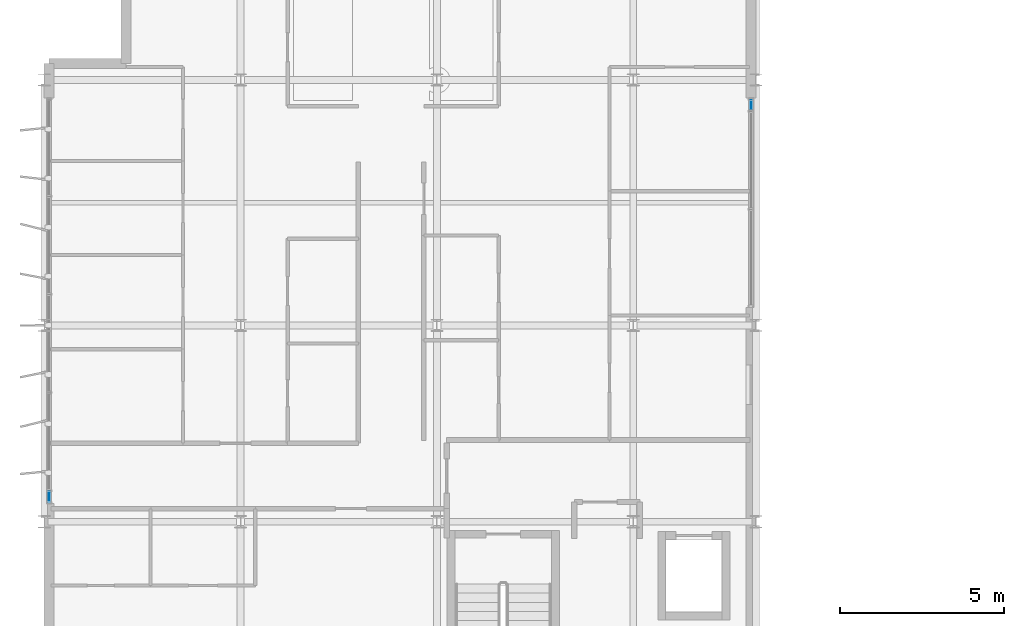
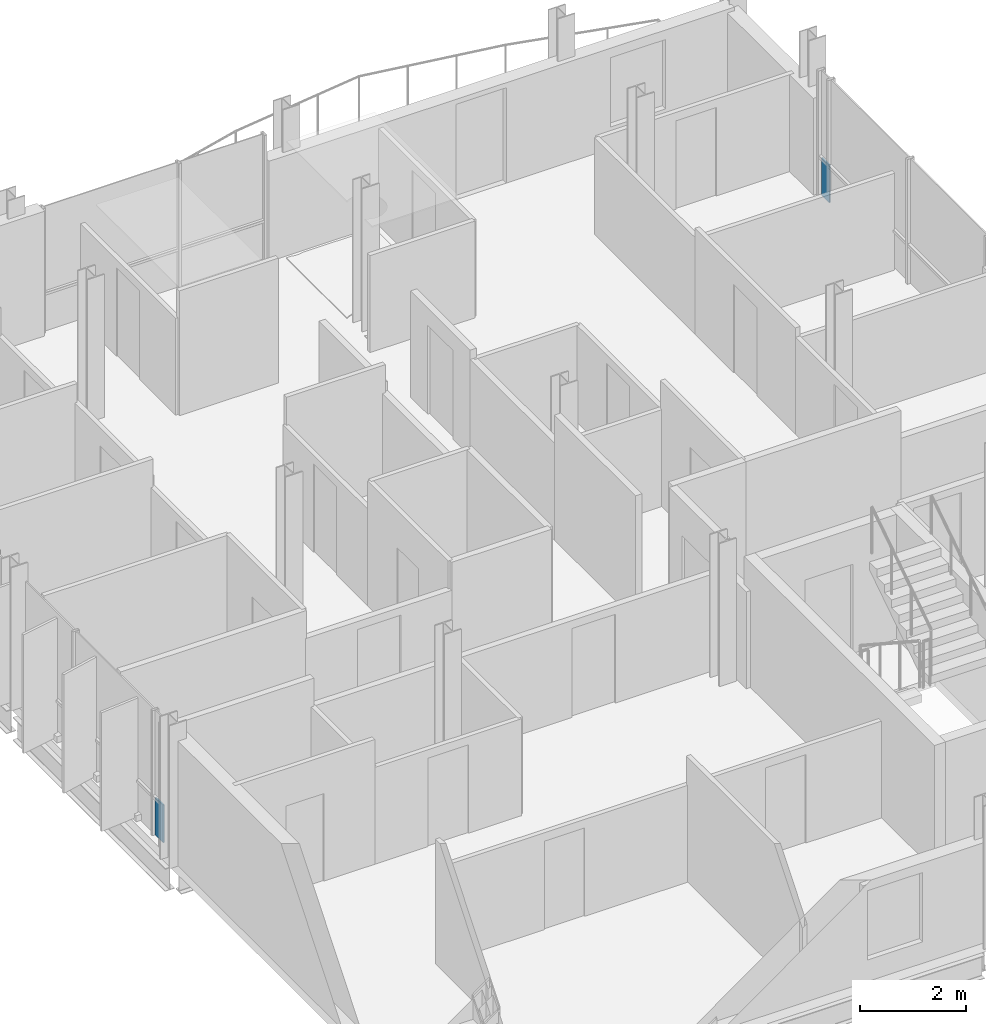
# One storey, part 20 of 30: 2 plates, 2 elements without a shape of their own.
"""IFC4 building model written with IfcOpenShell, lengths in metres."""

from ifc_helpers import new_model, si_unit, direction, frame, origin, origin_2d, place, context, subcontext, project, spatial, rectangle, extrude, material, layer, layer_set, type_object, element, aggregate, save


model = new_model("IFC4")

# Units and contexts
model_context = context("Model", 3, precision=1e-05, world=origin(), true_north=direction((0.0, 1.0)))
body_context = subcontext(model_context, "Body", "Model", "MODEL_VIEW")
ifc_project = project(units=[si_unit("LENGTHUNIT", "METRE"), si_unit("AREAUNIT", "SQUARE_METRE"), si_unit("VOLUMEUNIT", "CUBIC_METRE"), si_unit("PLANEANGLEUNIT", "RADIAN"), si_unit("MASSUNIT", "GRAM", prefix="KILO")], contexts=[model_context])

# Site, building, storey
site_placement = place(None, origin())
site = spatial("IfcSite", under=ifc_project, at=site_placement, CompositionType="ELEMENT")
building_placement = place(site_placement, origin())
building = spatial("IfcBuilding", under=site, at=building_placement, Name="Brevholm Reach", CompositionType="ELEMENT")
storey_placement = place(building_placement, frame((0.0, 0.0, 211.10009765625)))
storey = spatial("IfcBuildingStorey", under=building, at=storey_placement, Name="L64", CompositionType="ELEMENT", Elevation=211.10009765625)

# Curtain wall, plate
ifc_material_1 = material(Name="Dark Anodised Aluminium 6063-T6 and Solar-Control Glass", Category="aluminium")
ifc_layer_1 = layer(ifc_material_1, 0.14990234375)
ifc_layer_set_1 = layer_set([ifc_layer_1], Name="Dark Anodised Aluminium 6063-T6 and Solar-Control Glass")
curtain_wall_type_1 = type_object("IfcCurtainWallType", Name="CW-01", PredefinedType="NOTDEFINED", material=ifc_layer_set_1)
curtain_wall_1_placement = place(storey_placement, origin())
curtain_wall_1 = element("IfcCurtainWall", 1, at=curtain_wall_1_placement, inside=storey, type_object=curtain_wall_type_1, Name="L64 Curtain Wall CW-01", PredefinedType="NOTDEFINED")
ifc_material_2 = material(Name="Dark Solar-Control Double-Glazed IGU Glass", Category="glass")
ifc_layer_2 = layer(ifc_material_2, 0.028076171875)
ifc_layer_set_2 = layer_set([ifc_layer_2], Name="Dark Solar-Control Double-Glazed IGU Glass")
plate_type = type_object("IfcPlateType", Name="CWP-GLZ-28", PredefinedType="CURTAIN_PANEL", material=ifc_layer_set_2)
plate_1_placement = place(storey_placement, frame((0.14990234375, 10.766357421875, 0.0), z_axis=(0.0, 0.0, 1.0), x_axis=(0.0, -1.0, 0.0)))
plate_1 = element("IfcPlate", 2, at=plate_1_placement, type_object=plate_type, Name="CP-01 Glazing Panel 5.1", PredefinedType="CURTAIN_PANEL", context=body_context, shape_type="SweptSolid", body=[
    extrude(rectangle(XDim=0.302490234375, YDim=0.028076171875, at=origin_2d()), origin(), (0.0, 0.0, 1.0), 0.867431640625),
])
aggregate(curtain_wall_1, [plate_1])

ifc_material_3 = material(Name="Dark Anodised Aluminium 6063-T6 and Solar-Control Glass", Category="aluminium")
ifc_layer_3 = layer(ifc_material_3, 0.1650390625)
ifc_layer_set_3 = layer_set([ifc_layer_3], Name="Dark Anodised Aluminium 6063-T6 and Solar-Control Glass")
curtain_wall_type_2 = type_object("IfcCurtainWallType", Name="CW-04", PredefinedType="NOTDEFINED", material=ifc_layer_set_3)
curtain_wall_2_placement = place(storey_placement, origin())
curtain_wall_2 = element("IfcCurtainWall", 3, at=curtain_wall_2_placement, inside=storey, type_object=curtain_wall_type_2, Name="L64 Curtain Wall CW-04", PredefinedType="NOTDEFINED")
plate_2_placement = place(storey_placement, frame((21.60009765625, 22.732421875, 0.0), z_axis=(0.0, 0.0, 1.0), x_axis=(0.0, 1.0, 0.0)))
plate_2 = element("IfcPlate", 4, at=plate_2_placement, type_object=plate_type, Name="CP-01 Glazing Panel 3.1", PredefinedType="CURTAIN_PANEL", context=body_context, shape_type="SweptSolid", body=[
    extrude(rectangle(XDim=0.294921875, YDim=0.028076171875, at=origin_2d()), origin(), (0.0, 0.0, 1.0), 0.864990234375),
])
aggregate(curtain_wall_2, [plate_2])

save(model, "model.ifc")
